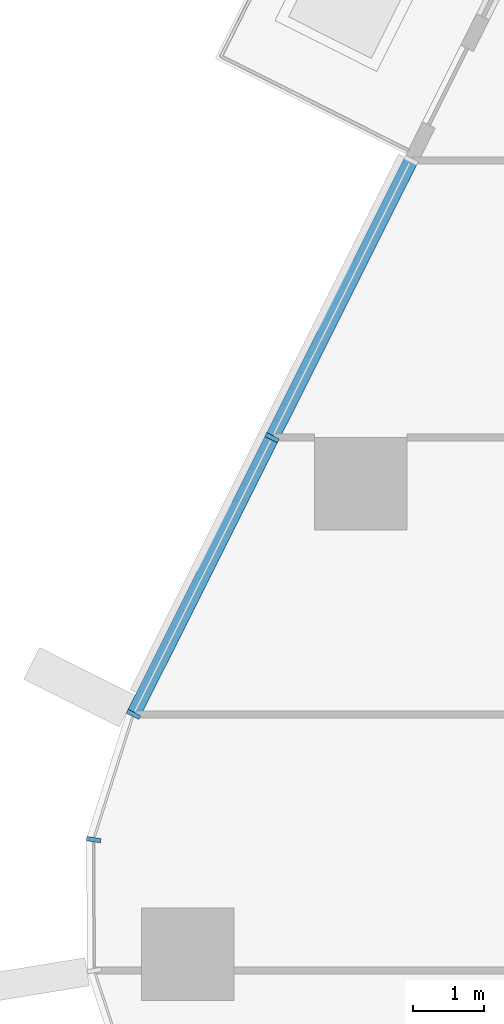
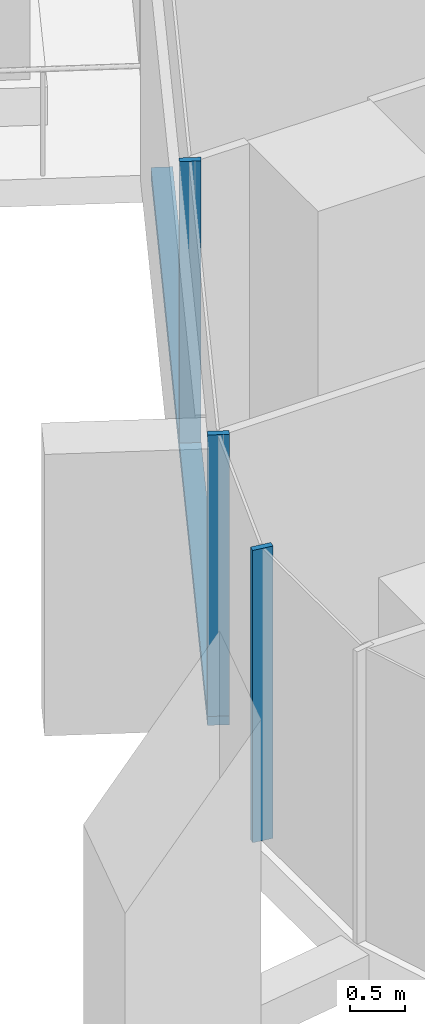
# One storey, part 3 of 26: 4 members, 2 elements without a shape of their own.
"""IFC4 building model written with IfcOpenShell, lengths in metres."""

from ifc_helpers import new_model, si_unit, direction, frame, origin, origin_2d, place, context, subcontext, project, spatial, rectangle, extrude, material, layer, layer_set, material_profile, profile_set, type_object, element, aggregate, save


model = new_model("IFC4")

# Units and contexts
model_context = context("Model", 3, precision=1e-05, world=origin(), true_north=direction((0.0, 1.0)))
body_context = subcontext(model_context, "Body", "Model", "MODEL_VIEW")
ifc_project = project(units=[si_unit("LENGTHUNIT", "METRE"), si_unit("AREAUNIT", "SQUARE_METRE"), si_unit("VOLUMEUNIT", "CUBIC_METRE"), si_unit("PLANEANGLEUNIT", "RADIAN"), si_unit("MASSUNIT", "GRAM", prefix="KILO")], contexts=[model_context])

# Site, building, storey
site_placement = place(None, origin())
site = spatial("IfcSite", under=ifc_project, at=site_placement, CompositionType="ELEMENT")
building_placement = place(site_placement, origin())
building = spatial("IfcBuilding", under=site, at=building_placement, Name="Dongbaek Canopy Tower", CompositionType="ELEMENT")
storey_placement = place(building_placement, frame((0.0, 0.0, 95.199951171875)))
storey = spatial("IfcBuildingStorey", under=building, at=storey_placement, Name="L19", CompositionType="ELEMENT", Elevation=95.199951171875)

# Curtain wall, members
ifc_material_1 = material(Name="Aluminium 6063-T6 pale anodised", Category="aluminium")
ifc_layer = layer(ifc_material_1, 0.199951171875)
ifc_layer_set = layer_set([ifc_layer], Name="CW-1 unitised tower curtain wall")
curtain_wall_type = type_object("IfcCurtainWallType", Name="CW-1 unitised tower curtain wall", PredefinedType="NOTDEFINED", material=ifc_layer_set)
curtain_wall_1_placement = place(storey_placement, origin())
curtain_wall_1 = element("IfcCurtainWall", 1, at=curtain_wall_1_placement, inside=storey, type_object=curtain_wall_type, Name="CW-1 curtain wall F2.1", PredefinedType="NOTDEFINED")
ifc_material_2 = material(Name="Aluminium 6063-T6 pale anodised", Category="aluminium")
ifc_material_profile_1 = material_profile(ifc_material_2, rectangle(XDim=0.199951171875, YDim=0.06005859375, at=origin_2d()), Name="CW-1 mullion 60 x 200")
ifc_profile_set_1 = profile_set([ifc_material_profile_1], Name="Aluminium 6063-T6 pale anodised")
member_type_1 = type_object("IfcMemberType", Name="CW-1 mullion 60 x 200", PredefinedType="MULLION", material=ifc_profile_set_1)
member_1_placement = place(storey_placement, frame((-28.93896484375, 0.733154296875, 0.1201171875), z_axis=(0.0, 0.0, 1.0), x_axis=(-0.894055791151, 0.447955625381, 0.0)))
member_1 = element("IfcMember", 2, at=member_1_placement, type_object=member_type_1, Name="CW-1 mullion F2.1.2", PredefinedType="MULLION", context=body_context, shape_type="SweptSolid", body=[
    extrude(rectangle(XDim=0.199951171875, YDim=0.06005859375, at=origin_2d()), origin(), (0.0, 0.0, 1.0), 3.1298828125),
])
member_2_placement = place(storey_placement, frame((-30.886962890625, -3.15478515625, 0.1201171875), z_axis=(0.0, 0.0, 1.0), x_axis=(-0.894055791151, 0.447955625381, 0.0)))
member_2 = element("IfcMember", 3, at=member_2_placement, type_object=member_type_1, Name="CW-1 mullion F2.1.3", PredefinedType="MULLION", context=body_context, shape_type="SweptSolid", body=[
    extrude(rectangle(XDim=0.199951171875, YDim=0.06005859375, at=origin_2d()), origin(), (0.0, 0.0, 1.0), 3.1298828125),
])

# Curtain wall, member
curtain_wall_2_placement = place(storey_placement, origin())
curtain_wall_2 = element("IfcCurtainWall", 4, at=curtain_wall_2_placement, inside=storey, type_object=curtain_wall_type, Name="CW-1 curtain wall K3.1", PredefinedType="NOTDEFINED")
member_3_placement = place(storey_placement, frame((-31.447021484375, -4.915771484375, 0.0), z_axis=(0.0, 0.0, 1.0), x_axis=(-0.988575704859, 0.150725166318, 0.0)))
member_3 = element("IfcMember", 5, at=member_3_placement, type_object=member_type_1, Name="CW-1 mullion K3.1.2", PredefinedType="MULLION", context=body_context, shape_type="SweptSolid", body=[
    extrude(rectangle(XDim=0.199951171875, YDim=0.06005859375, at=origin_2d()), origin(), (0.0, 0.0, 1.0), 3.25),
])
aggregate(curtain_wall_2, [member_3])

# Member
ifc_material_3 = material(Name="Aluminium 6063-T6 pale anodised", Category="aluminium")
ifc_material_profile_2 = material_profile(ifc_material_3, rectangle(XDim=0.199951171875, YDim=0.1201171875, at=origin_2d()), Name="CW-1 transom 120 x 200")
ifc_profile_set_2 = profile_set([ifc_material_profile_2], Name="Aluminium 6063-T6 pale anodised")
member_type_2 = type_object("IfcMemberType", Name="CW-1 transom 120 x 200", PredefinedType="USERDEFINED", material=ifc_profile_set_2)
member_4_placement = place(storey_placement, frame((-26.9873046875, 4.62841796875, 0.06005859375), z_axis=(-0.447953815462, -0.894056697986, 0.0), x_axis=(0.894056697986, -0.447953815462, 0.0)))
member_4 = element("IfcMember", 6, at=member_4_placement, type_object=member_type_2, Name="CW-1 transom F2.1.1", ObjectType="TRANSOM", PredefinedType="USERDEFINED", context=body_context, shape_type="SweptSolid", body=[
    extrude(rectangle(XDim=0.199951171875, YDim=0.1201171875, at=origin_2d()), origin(), (0.0, 0.0, 1.0), 8.70556640625),
])

aggregate(curtain_wall_1, [member_1, member_2, member_4])

save(model, "model.ifc")
